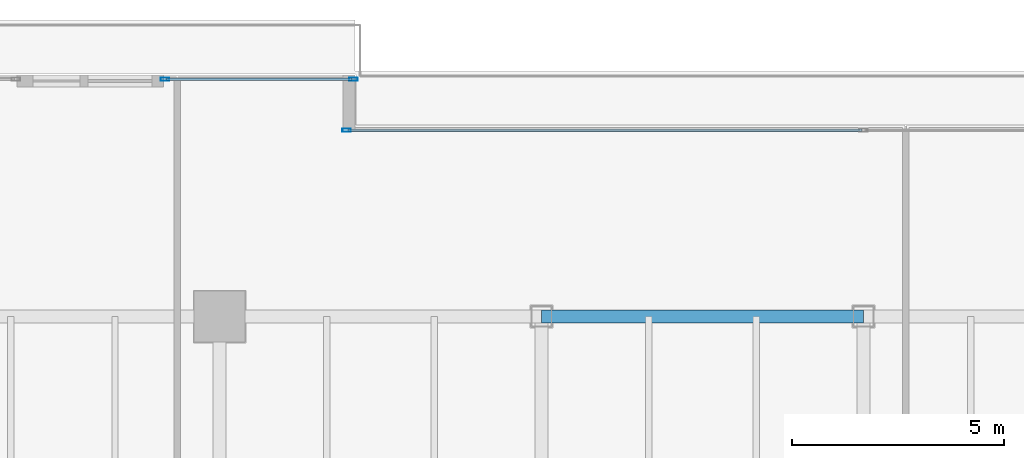
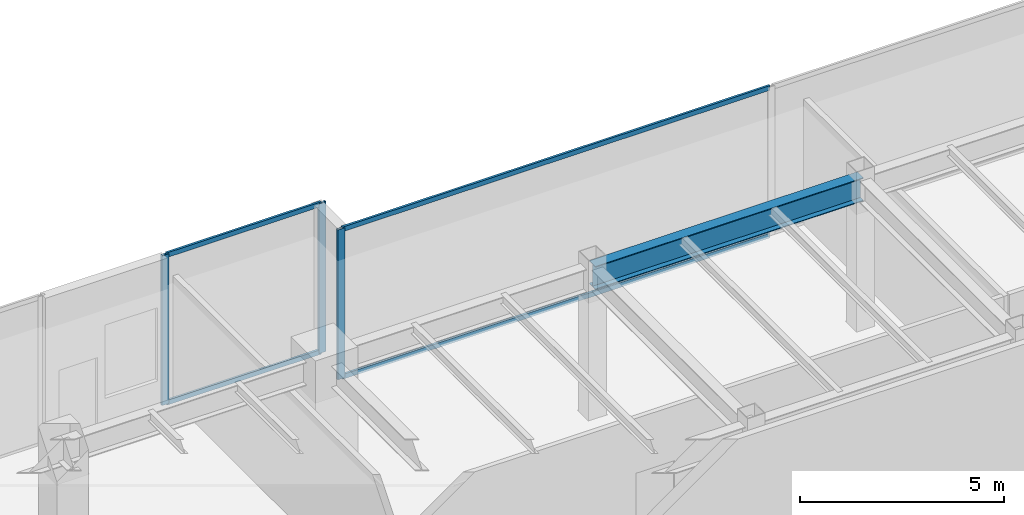
# One storey, part 16 of 33: 7 members, 1 beam, 2 elements without a shape of their own.
"""IFC4 building model written with IfcOpenShell, lengths in metres."""

from ifc_helpers import new_model, si_unit, direction, frame, origin, origin_2d, place, context, subcontext, project, spatial, hollow_rectangle, i_section, extrude, source, transform, mapped, material, layer, layer_set, material_profile, profile_set, type_object, type_shapes, element, aggregate, save


model = new_model("IFC4")

# Units and contexts
model_context = context("Model", 3, precision=1e-05, world=origin(), true_north=direction((0.0, 1.0)))
body_context = subcontext(model_context, "Body", "Model", "MODEL_VIEW")
ifc_project = project(units=[si_unit("LENGTHUNIT", "METRE"), si_unit("AREAUNIT", "SQUARE_METRE"), si_unit("VOLUMEUNIT", "CUBIC_METRE"), si_unit("PLANEANGLEUNIT", "RADIAN"), si_unit("MASSUNIT", "GRAM", prefix="KILO")], contexts=[model_context])

# Site, building, storey
site_placement = place(None, origin())
site = spatial("IfcSite", under=ifc_project, at=site_placement, CompositionType="ELEMENT")
building_placement = place(site_placement, origin())
building = spatial("IfcBuilding", under=site, at=building_placement, Name="Haelvirn Gate Laboratories", CompositionType="ELEMENT")
storey_placement = place(building_placement, frame((0.0, 0.0, 100.300048828125)))
storey = spatial("IfcBuildingStorey", under=building, at=storey_placement, Name="L24", CompositionType="ELEMENT", Elevation=100.300048828125)

# Beam
ifc_material_1 = material(Name="Steel SM355", Category="steel")
ifc_material_profile_1 = material_profile(ifc_material_1, i_section(OverallWidth=0.300048828125, OverallDepth=0.699951171875, WebThickness=0.012939453125, FlangeThickness=0.02392578125, at=origin_2d()), Name="H-700x300x13x24")
ifc_profile_set_1 = profile_set([ifc_material_profile_1], Name="Steel SM355")
beam_type = type_object("IfcBeamType", Name="BM-G-700", PredefinedType="BEAM", material=ifc_profile_set_1)
shared_shape_1 = source(origin(), body_context, "Body", "SweptSolid", [
    extrude(i_section(OverallWidth=0.300048828125, OverallDepth=0.699951171875, WebThickness=0.012939453125, FlangeThickness=0.02392578125, at=origin_2d()), origin(), (0.0, 0.0, 1.0), 7.599853515625),
])
type_shapes(beam_type, [shared_shape_1])
beam_placement = place(storey_placement, frame((29.800048828125, 41.60009765625, 4.139892578125), z_axis=(1.0, 0.0, 0.0), x_axis=(0.0, 1.0, 0.0)))
element("IfcBeam", 1, at=beam_placement, inside=storey, type_object=beam_type, Name="L24 Primary Girder Y41.6 (29.8-37.4)", PredefinedType="BEAM", context=body_context, shape_type="MappedRepresentation", body=[
    mapped(shared_shape_1, transform((0.0, 0.0, 0.0), scale=1.0)),
])

# Curtain wall, member
ifc_material_2 = material(Name="Anodised bronze unitised aluminium & triple low-E glass", Category="aluminium")
ifc_layer = layer(ifc_material_2, 0.179931640625, Name="CW-SYS-3")
ifc_layer_set = layer_set([ifc_layer], Name="Anodised bronze unitised aluminium & triple low-E glass")
curtain_wall_type = type_object("IfcCurtainWallType", Name="CW-SYS-3", PredefinedType="NOTDEFINED", material=ifc_layer_set)
curtain_wall_1_placement = place(storey_placement, origin())
curtain_wall_1 = element("IfcCurtainWall", 2, at=curtain_wall_1_placement, inside=storey, type_object=curtain_wall_type, Name="L24 Unitised Curtain Wall CW-L24-P0-E12-1", PredefinedType="NOTDEFINED")
ifc_material_3 = material(Name="Extruded aluminium 6063-T6 (anodised bronze)", Category="aluminium")
ifc_material_profile_2 = material_profile(ifc_material_3, hollow_rectangle(XDim=0.074951171875, YDim=0.199951171875, WallThickness=0.0048828125, at=origin_2d()), Name="CWM-200x75x5")
ifc_profile_set_2 = profile_set([ifc_material_profile_2], Name="Extruded aluminium 6063-T6 (anodised bronze)")
member_type_1 = type_object("IfcMemberType", Name="CWM-T200", PredefinedType="MULLION", material=ifc_profile_set_2)
shared_shape_2 = source(origin(), body_context, "Body", "SweptSolid", [
    extrude(hollow_rectangle(XDim=0.074951171875, YDim=0.199951171875, WallThickness=0.0048828125, at=origin_2d()), origin(), (0.0, 0.0, 1.0), 4.489990234375),
])
type_shapes(member_type_1, [shared_shape_2])
member_1_placement = place(storey_placement, frame((25.197509765625, 46.0, 0.0), z_axis=(0.0, 0.0, 1.0), x_axis=(0.0, 1.0, 0.0)))
member_1 = element("IfcMember", 3, at=member_1_placement, type_object=member_type_1, Name="CW3 mullion 1", PredefinedType="MULLION", context=body_context, shape_type="MappedRepresentation", body=[
    mapped(shared_shape_2, transform((0.0, 0.0, 0.0), scale=1.0)),
])

# Curtain wall, members
curtain_wall_2_placement = place(storey_placement, origin())
curtain_wall_2 = element("IfcCurtainWall", 4, at=curtain_wall_2_placement, inside=storey, type_object=curtain_wall_type, Name="L24 Unitised Curtain Wall CW-L24-P0-E14-2", PredefinedType="NOTDEFINED")
member_2_placement = place(storey_placement, frame((20.907470703125, 47.199951171875, 0.0), z_axis=(0.0, 0.0, 1.0), x_axis=(0.0, 1.0, 0.0)))
member_2 = element("IfcMember", 5, at=member_2_placement, type_object=member_type_1, Name="CW3 mullion 1", PredefinedType="MULLION", context=body_context, shape_type="MappedRepresentation", body=[
    mapped(shared_shape_2, transform((0.0, 0.0, 0.0), scale=1.0)),
])
member_3_placement = place(storey_placement, frame((25.362548828125, 47.199951171875, 0.0), z_axis=(0.0, 0.0, 1.0), x_axis=(0.0, 1.0, 0.0)))
member_3 = element("IfcMember", 6, at=member_3_placement, type_object=member_type_1, Name="CW3 mullion 2", PredefinedType="MULLION", context=body_context, shape_type="MappedRepresentation", body=[
    mapped(shared_shape_2, transform((0.0, 0.0, 0.0), scale=1.0)),
])

# Member
ifc_material_profile_3 = material_profile(ifc_material_3, hollow_rectangle(XDim=0.06494140625, YDim=0.139892578125, WallThickness=0.00390625, at=origin_2d()), Name="CWT-140x65x4")
ifc_profile_set_3 = profile_set([ifc_material_profile_3], Name="Extruded aluminium 6063-T6 (anodised bronze)")
member_type_2 = type_object("IfcMemberType", Name="CWT-T140", PredefinedType="USERDEFINED", material=ifc_profile_set_3)
shared_shape_3 = source(origin(), body_context, "Body", "SweptSolid", [
    extrude(hollow_rectangle(XDim=0.06494140625, YDim=0.139892578125, WallThickness=0.00390625, at=origin_2d()), origin(), (0.0, 0.0, 1.0), 12.12744140625),
])
member_4_placement = place(storey_placement, frame((25.235107421875, 46.0, 0.032470703125), z_axis=(1.0, 0.0, 0.0), x_axis=(0.0, 1.0, 0.0)))
member_4 = element("IfcMember", 7, at=member_4_placement, type_object=member_type_2, Name="CW3 transom 1.1", ObjectType="TRANSOM", PredefinedType="USERDEFINED", context=body_context, shape_type="MappedRepresentation", body=[
    mapped(shared_shape_3, transform((0.0, 0.0, 0.0), scale=1.0)),
])

member_5_placement = place(storey_placement, frame((25.235107421875, 46.0, 4.45751953125), z_axis=(1.0, 0.0, 0.0), x_axis=(0.0, 1.0, 0.0)))
member_5 = element("IfcMember", 8, at=member_5_placement, type_object=member_type_2, Name="CW3 transom 1.2", ObjectType="TRANSOM", PredefinedType="USERDEFINED", context=body_context, shape_type="MappedRepresentation", body=[
    mapped(shared_shape_3, transform((0.0, 0.0, 0.0), scale=1.0)),
])

aggregate(curtain_wall_1, [member_1, member_4, member_5])

shared_shape_4 = source(origin(), body_context, "Body", "SweptSolid", [
    extrude(hollow_rectangle(XDim=0.06494140625, YDim=0.139892578125, WallThickness=0.00390625, at=origin_2d()), origin(), (0.0, 0.0, 1.0), 4.3798828125),
])
type_shapes(member_type_2, [shared_shape_3, shared_shape_4])
member_6_placement = place(storey_placement, frame((20.945068359375, 47.199951171875, 0.032470703125), z_axis=(1.0, 0.0, 0.0), x_axis=(0.0, 1.0, 0.0)))
member_6 = element("IfcMember", 9, at=member_6_placement, type_object=member_type_2, Name="CW3 transom 1.1", ObjectType="TRANSOM", PredefinedType="USERDEFINED", context=body_context, shape_type="MappedRepresentation", body=[
    mapped(shared_shape_4, transform((0.0, 0.0, 0.0), scale=1.0)),
])

member_7_placement = place(storey_placement, frame((20.945068359375, 47.199951171875, 4.45751953125), z_axis=(1.0, 0.0, 0.0), x_axis=(0.0, 1.0, 0.0)))
member_7 = element("IfcMember", 10, at=member_7_placement, type_object=member_type_2, Name="CW3 transom 1.2", ObjectType="TRANSOM", PredefinedType="USERDEFINED", context=body_context, shape_type="MappedRepresentation", body=[
    mapped(shared_shape_4, transform((0.0, 0.0, 0.0), scale=1.0)),
])

aggregate(curtain_wall_2, [member_2, member_3, member_6, member_7])

save(model, "model.ifc")
